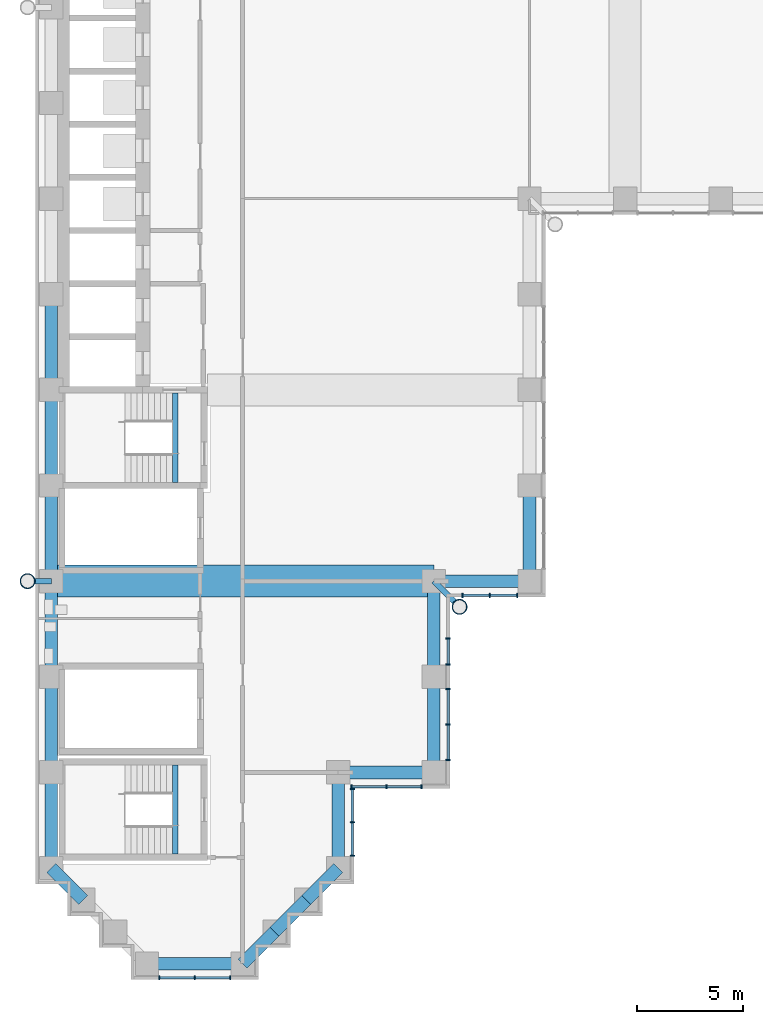
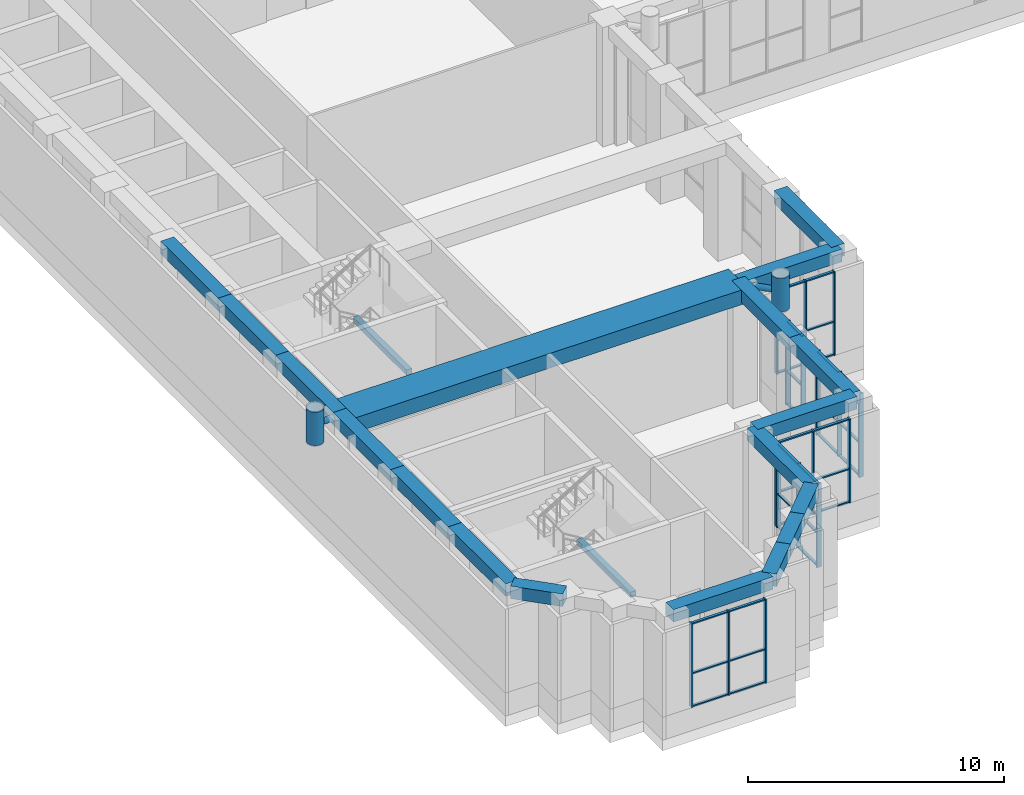
# One storey, part 2 of 22: 54 members, 20 beams, 6 elements without a shape of their own.
"""IFC4 building model written with IfcOpenShell, lengths in metres."""

from ifc_helpers import new_model, si_unit, direction, frame, origin, origin_2d, place, context, subcontext, project, spatial, rectangle, hollow_circle, extrude, material, material_profile, profile_set, type_object, element, aggregate, save


model = new_model("IFC4")

# Units and contexts
model_context = context("Model", 3, precision=1e-05, world=origin(), true_north=direction((0.0, 1.0)))
body_context = subcontext(model_context, "Body", "Model", "MODEL_VIEW")
ifc_project = project(units=[si_unit("LENGTHUNIT", "METRE"), si_unit("AREAUNIT", "SQUARE_METRE"), si_unit("VOLUMEUNIT", "CUBIC_METRE"), si_unit("PLANEANGLEUNIT", "RADIAN"), si_unit("MASSUNIT", "GRAM", prefix="KILO")], contexts=[model_context])

# Site, building, storey
site_placement = place(None, origin())
site = spatial("IfcSite", under=ifc_project, at=site_placement, CompositionType="ELEMENT")
building_placement = place(site_placement, origin())
building = spatial("IfcBuilding", under=site, at=building_placement, Name="Firuza Court", CompositionType="ELEMENT")
storey_placement = place(building_placement, frame((0.0, 0.0, 113.60009765625)))
storey = spatial("IfcBuildingStorey", under=building, at=storey_placement, Name="L28", CompositionType="ELEMENT", Elevation=113.60009765625)

# Beam
ifc_material_1 = material(Name="Concrete C40/50", Category="concrete")
ifc_material_profile_1 = material_profile(ifc_material_1, rectangle(XDim=1.5, YDim=0.699951171875, at=origin_2d()), Name="RC 1500x700")
ifc_profile_set_1 = profile_set([ifc_material_profile_1], Name="Concrete C40/50")
beam_type_1 = type_object("IfcBeamType", Name="Band beam RC 1500x700 C40/50", PredefinedType="BEAM", material=ifc_profile_set_1)
beam_1_placement = place(storey_placement, frame((0.0, 18.0, 5.349853515625), z_axis=(1.0, 0.0, 0.0), x_axis=(0.0, 1.0, 0.0)))
element("IfcBeam", 1, at=beam_1_placement, inside=storey, type_object=beam_type_1, Name="Band beam FB1 level L29", PredefinedType="BEAM", context=body_context, shape_type="SweptSolid", body=[
    extrude(rectangle(XDim=1.5, YDim=0.699951171875, at=origin_2d()), origin(), (0.0, 0.0, 1.0), 18.0),
])

# Members
ifc_material_2 = material(Name="Steel S355", Category="steel")
ifc_material_profile_2 = material_profile(ifc_material_2, hollow_circle(Radius=0.35546875, WallThickness=0.030029296875, at=origin_2d()), Name="CHS 711x30")
ifc_profile_set_2 = profile_set([ifc_material_profile_2], Name="Steel S355")
member_type_1 = type_object("IfcMemberType", Name="Diagrid node CHS 711x30 S355", PredefinedType="USERDEFINED", material=ifc_profile_set_2)
for number, where, z_axis, x_axis, name in (
    (2, (-1.1201171875, 18.0, 4.64990234375), (0.0, 0.0, 1.0), (1.0, 0.0, 0.0), "Diagrid node level L28"),
    (3, (19.2099609375, 16.7900390625, 4.64990234375), (0.0, 0.0, 1.0), (1.0, 0.0, 0.0), "Diagrid node level L28"),
):
    element("IfcMember", number, at=place(storey_placement, frame(where, z_axis=z_axis, x_axis=x_axis)), inside=storey, type_object=member_type_1, Name=name, ObjectType="DIAGRID NODE", PredefinedType="USERDEFINED", context=body_context, shape_type="SweptSolid", body=[
        extrude(hollow_circle(Radius=0.35546875, WallThickness=0.030029296875, at=origin_2d()), origin(), (0.0, 0.0, 1.0), 1.60009765625),
    ])
ifc_material_3 = material(Name="Steel S355", Category="steel")
ifc_material_profile_3 = material_profile(ifc_material_3, hollow_circle(Radius=0.136474609375, WallThickness=0.012451171875, at=origin_2d()), Name="CHS 273x12.5")
ifc_profile_set_3 = profile_set([ifc_material_profile_3], Name="Steel S355")
member_type_2 = type_object("IfcMemberType", Name="Diagrid tie CHS 273x12.5 S355", PredefinedType="STRUT", material=ifc_profile_set_3)
member_1_placement = place(storey_placement, frame((0.0, 18.0, 5.449951171875), z_axis=(-1.0, 0.0, 0.0), x_axis=(0.0, -1.0, 0.0)))
element("IfcMember", 4, at=member_1_placement, inside=storey, type_object=member_type_2, Name="Diagrid tie level L29", PredefinedType="STRUT", context=body_context, shape_type="SweptSolid", body=[
    extrude(hollow_circle(Radius=0.136474609375, WallThickness=0.012451171875, at=origin_2d()), origin(), (0.0, 0.0, 1.0), 1.1201171875),
])
member_2_placement = place(storey_placement, frame((18.0, 18.0, 5.449951171875), z_axis=(0.707106781187, -0.707106781187, 0.0), x_axis=(0.707106781187, 0.707106781187, 0.0)))
element("IfcMember", 5, at=member_2_placement, inside=storey, type_object=member_type_2, Name="Diagrid tie level L29", PredefinedType="STRUT", context=body_context, shape_type="SweptSolid", body=[
    extrude(hollow_circle(Radius=0.136474609375, WallThickness=0.012451171875, at=origin_2d()), origin(), (0.0, 0.0, 1.0), 1.711181640625),
])

# Beams
ifc_material_4 = material(Name="Concrete C40/50", Category="concrete")
ifc_material_profile_4 = material_profile(ifc_material_4, rectangle(XDim=0.25, YDim=0.25, at=origin_2d()), Name="RC 250x250")
ifc_profile_set_4 = profile_set([ifc_material_profile_4], Name="Concrete C40/50")
beam_type_2 = type_object("IfcBeamType", Name="Landing beam RC 250x250 C40/50", PredefinedType="BEAM", material=ifc_profile_set_4)
for number, where, z_axis, x_axis, name in (
    (6, (5.824951171875, 22.64990234375, 2.6748046875), (0.0, 1.0, 0.0), (-1.0, 0.0, 0.0), "Landing beam S2 L28"),
    (7, (5.824951171875, 5.14990234375, 2.6748046875), (0.0, 1.0, 0.0), (-1.0, 0.0, 0.0), "Landing beam S5 L28"),
):
    element("IfcBeam", number, at=place(storey_placement, frame(where, z_axis=z_axis, x_axis=x_axis)), inside=storey, type_object=beam_type_2, Name=name, PredefinedType="BEAM", context=body_context, shape_type="SweptSolid", body=[
        extrude(rectangle(XDim=0.25, YDim=0.25, at=origin_2d()), origin(), (0.0, 0.0, 1.0), 4.2001953125),
    ])

# Curtain wall, members
ifc_material_5 = material(Name="Aluminium curtain wall, triple clear glazing", Category="aluminium")
curtain_wall_type = type_object("IfcCurtainWallType", Name="Sky floor unitised curtain wall CW3", PredefinedType="NOTDEFINED", material=ifc_material_5)
curtain_wall_1_placement = place(storey_placement, origin())
curtain_wall_1 = element("IfcCurtainWall", 8, at=curtain_wall_1_placement, inside=storey, type_object=curtain_wall_type, Name="Sky floor unitised curtain wall CW3 L28", PredefinedType="NOTDEFINED")
ifc_material_6 = material(Name="Aluminium EN AW-6060 T66", Category="aluminium")
ifc_material_profile_5 = material_profile(ifc_material_6, rectangle(XDim=0.199951171875, YDim=0.06005859375, at=origin_2d()), Name="Mullion 200 x 60 CW3")
ifc_profile_set_5 = profile_set([ifc_material_profile_5], Name="Aluminium EN AW-6060 T66")
member_type_3 = type_object("IfcMemberType", Name="Mullion 200 x 60 CW3", PredefinedType="MULLION", material=ifc_profile_set_5)
member_3_placement = place(storey_placement, frame((14.169921875, 5.080078125, 1.099853515625), z_axis=(0.0, 0.0, 1.0), x_axis=(-1.0, 0.0, 0.0)))
member_3 = element("IfcMember", 9, at=member_3_placement, type_object=member_type_3, Name="CW3 mullion 1", PredefinedType="MULLION", context=body_context, shape_type="SweptSolid", body=[
    extrude(rectangle(XDim=0.199951171875, YDim=0.06005859375, at=origin_2d()), origin(), (0.0, 0.0, 1.0), 4.0),
])
member_4_placement = place(storey_placement, frame((14.169921875, 6.64990234375, 1.099853515625), z_axis=(0.0, 0.0, 1.0), x_axis=(-1.0, 0.0, 0.0)))
member_4 = element("IfcMember", 10, at=member_4_placement, type_object=member_type_3, Name="CW3 mullion 2", PredefinedType="MULLION", context=body_context, shape_type="SweptSolid", body=[
    extrude(rectangle(XDim=0.199951171875, YDim=0.06005859375, at=origin_2d()), origin(), (0.0, 0.0, 1.0), 4.0),
])
member_5_placement = place(storey_placement, frame((14.169921875, 8.219970703125, 1.099853515625), z_axis=(0.0, 0.0, 1.0), x_axis=(-1.0, 0.0, 0.0)))
member_5 = element("IfcMember", 11, at=member_5_placement, type_object=member_type_3, Name="CW3 mullion 3", PredefinedType="MULLION", context=body_context, shape_type="SweptSolid", body=[
    extrude(rectangle(XDim=0.199951171875, YDim=0.06005859375, at=origin_2d()), origin(), (0.0, 0.0, 1.0), 4.0),
])

curtain_wall_2_placement = place(storey_placement, origin())
curtain_wall_2 = element("IfcCurtainWall", 12, at=curtain_wall_2_placement, inside=storey, type_object=curtain_wall_type, Name="Sky floor unitised curtain wall CW3 L28", PredefinedType="NOTDEFINED")
member_6_placement = place(storey_placement, frame((14.1298828125, 8.330078125, 1.099853515625), z_axis=(0.0, 0.0, 1.0), x_axis=(0.0, 1.0, 0.0)))
member_6 = element("IfcMember", 13, at=member_6_placement, type_object=member_type_3, Name="CW3 mullion 1", PredefinedType="MULLION", context=body_context, shape_type="SweptSolid", body=[
    extrude(rectangle(XDim=0.199951171875, YDim=0.06005859375, at=origin_2d()), origin(), (0.0, 0.0, 1.0), 4.0),
])
member_7_placement = place(storey_placement, frame((15.77490234375, 8.330078125, 1.099853515625), z_axis=(0.0, 0.0, 1.0), x_axis=(0.0, 1.0, 0.0)))
member_7 = element("IfcMember", 14, at=member_7_placement, type_object=member_type_3, Name="CW3 mullion 2", PredefinedType="MULLION", context=body_context, shape_type="SweptSolid", body=[
    extrude(rectangle(XDim=0.199951171875, YDim=0.06005859375, at=origin_2d()), origin(), (0.0, 0.0, 1.0), 4.0),
])
member_8_placement = place(storey_placement, frame((17.419921875, 8.330078125, 1.099853515625), z_axis=(0.0, 0.0, 1.0), x_axis=(0.0, 1.0, 0.0)))
member_8 = element("IfcMember", 15, at=member_8_placement, type_object=member_type_3, Name="CW3 mullion 3", PredefinedType="MULLION", context=body_context, shape_type="SweptSolid", body=[
    extrude(rectangle(XDim=0.199951171875, YDim=0.06005859375, at=origin_2d()), origin(), (0.0, 0.0, 1.0), 4.0),
])

curtain_wall_3_placement = place(storey_placement, origin())
curtain_wall_3 = element("IfcCurtainWall", 16, at=curtain_wall_3_placement, inside=storey, type_object=curtain_wall_type, Name="Sky floor unitised curtain wall CW3 L28", PredefinedType="NOTDEFINED")
member_9_placement = place(storey_placement, frame((18.669921875, 9.580078125, 1.099853515625), z_axis=(0.0, 0.0, 1.0), x_axis=(-1.0, 0.0, 0.0)))
member_9 = element("IfcMember", 17, at=member_9_placement, type_object=member_type_3, Name="CW3 mullion 1", PredefinedType="MULLION", context=body_context, shape_type="SweptSolid", body=[
    extrude(rectangle(XDim=0.199951171875, YDim=0.06005859375, at=origin_2d()), origin(), (0.0, 0.0, 1.0), 4.0),
])
member_10_placement = place(storey_placement, frame((18.669921875, 11.25, 1.099853515625), z_axis=(0.0, 0.0, 1.0), x_axis=(-1.0, 0.0, 0.0)))
member_10 = element("IfcMember", 18, at=member_10_placement, type_object=member_type_3, Name="CW3 mullion 2", PredefinedType="MULLION", context=body_context, shape_type="SweptSolid", body=[
    extrude(rectangle(XDim=0.199951171875, YDim=0.06005859375, at=origin_2d()), origin(), (0.0, 0.0, 1.0), 4.0),
])
member_11_placement = place(storey_placement, frame((18.669921875, 12.919921875, 1.099853515625), z_axis=(0.0, 0.0, 1.0), x_axis=(-1.0, 0.0, 0.0)))
member_11 = element("IfcMember", 19, at=member_11_placement, type_object=member_type_3, Name="CW3 mullion 3", PredefinedType="MULLION", context=body_context, shape_type="SweptSolid", body=[
    extrude(rectangle(XDim=0.199951171875, YDim=0.06005859375, at=origin_2d()), origin(), (0.0, 0.0, 1.0), 4.0),
])

curtain_wall_4_placement = place(storey_placement, origin())
curtain_wall_4 = element("IfcCurtainWall", 20, at=curtain_wall_4_placement, inside=storey, type_object=curtain_wall_type, Name="Sky floor unitised curtain wall CW3 L28", PredefinedType="NOTDEFINED")
member_12_placement = place(storey_placement, frame((18.669921875, 14.080078125, 1.099853515625), z_axis=(0.0, 0.0, 1.0), x_axis=(-1.0, 0.0, 0.0)))
member_12 = element("IfcMember", 21, at=member_12_placement, type_object=member_type_3, Name="CW3 mullion 1", PredefinedType="MULLION", context=body_context, shape_type="SweptSolid", body=[
    extrude(rectangle(XDim=0.199951171875, YDim=0.06005859375, at=origin_2d()), origin(), (0.0, 0.0, 1.0), 4.0),
])
member_13_placement = place(storey_placement, frame((18.669921875, 15.2978515625, 1.099853515625), z_axis=(0.0, 0.0, 1.0), x_axis=(-1.0, 0.0, 0.0)))
member_13 = element("IfcMember", 22, at=member_13_placement, type_object=member_type_3, Name="CW3 mullion 2", PredefinedType="MULLION", context=body_context, shape_type="SweptSolid", body=[
    extrude(rectangle(XDim=0.199951171875, YDim=0.06005859375, at=origin_2d()), origin(), (0.0, 0.0, 1.0), 4.0),
])

curtain_wall_5_placement = place(storey_placement, origin())
curtain_wall_5 = element("IfcCurtainWall", 23, at=curtain_wall_5_placement, inside=storey, type_object=curtain_wall_type, Name="Sky floor unitised curtain wall CW3 L28", PredefinedType="NOTDEFINED")
member_14_placement = place(storey_placement, frame((19.343017578125, 17.330078125, 1.099853515625), z_axis=(0.0, 0.0, 1.0), x_axis=(0.0, 1.0, 0.0)))
member_14 = element("IfcMember", 24, at=member_14_placement, type_object=member_type_3, Name="CW3 mullion 1", PredefinedType="MULLION", context=body_context, shape_type="SweptSolid", body=[
    extrude(rectangle(XDim=0.199951171875, YDim=0.06005859375, at=origin_2d()), origin(), (0.0, 0.0, 1.0), 4.0),
])
member_15_placement = place(storey_placement, frame((20.631591796875, 17.330078125, 1.099853515625), z_axis=(0.0, 0.0, 1.0), x_axis=(0.0, 1.0, 0.0)))
member_15 = element("IfcMember", 25, at=member_15_placement, type_object=member_type_3, Name="CW3 mullion 2", PredefinedType="MULLION", context=body_context, shape_type="SweptSolid", body=[
    extrude(rectangle(XDim=0.199951171875, YDim=0.06005859375, at=origin_2d()), origin(), (0.0, 0.0, 1.0), 4.0),
])
member_16_placement = place(storey_placement, frame((21.919921875, 17.330078125, 1.099853515625), z_axis=(0.0, 0.0, 1.0), x_axis=(0.0, 1.0, 0.0)))
member_16 = element("IfcMember", 26, at=member_16_placement, type_object=member_type_3, Name="CW3 mullion 3", PredefinedType="MULLION", context=body_context, shape_type="SweptSolid", body=[
    extrude(rectangle(XDim=0.199951171875, YDim=0.06005859375, at=origin_2d()), origin(), (0.0, 0.0, 1.0), 4.0),
])

curtain_wall_6_placement = place(storey_placement, origin())
curtain_wall_6 = element("IfcCurtainWall", 27, at=curtain_wall_6_placement, inside=storey, type_object=curtain_wall_type, Name="Sky floor unitised curtain wall CW3 L28", PredefinedType="NOTDEFINED")
member_17_placement = place(storey_placement, frame((5.080078125, -0.669921875, 1.099853515625), z_axis=(0.0, 0.0, 1.0), x_axis=(0.0, 1.0, 0.0)))
member_17 = element("IfcMember", 28, at=member_17_placement, type_object=member_type_3, Name="CW3 mullion 1", PredefinedType="MULLION", context=body_context, shape_type="SweptSolid", body=[
    extrude(rectangle(XDim=0.199951171875, YDim=0.06005859375, at=origin_2d()), origin(), (0.0, 0.0, 1.0), 4.0),
])
member_18_placement = place(storey_placement, frame((6.75, -0.669921875, 1.099853515625), z_axis=(0.0, 0.0, 1.0), x_axis=(0.0, 1.0, 0.0)))
member_18 = element("IfcMember", 29, at=member_18_placement, type_object=member_type_3, Name="CW3 mullion 2", PredefinedType="MULLION", context=body_context, shape_type="SweptSolid", body=[
    extrude(rectangle(XDim=0.199951171875, YDim=0.06005859375, at=origin_2d()), origin(), (0.0, 0.0, 1.0), 4.0),
])
member_19_placement = place(storey_placement, frame((8.419921875, -0.669921875, 1.099853515625), z_axis=(0.0, 0.0, 1.0), x_axis=(0.0, 1.0, 0.0)))
member_19 = element("IfcMember", 30, at=member_19_placement, type_object=member_type_3, Name="CW3 mullion 3", PredefinedType="MULLION", context=body_context, shape_type="SweptSolid", body=[
    extrude(rectangle(XDim=0.199951171875, YDim=0.06005859375, at=origin_2d()), origin(), (0.0, 0.0, 1.0), 4.0),
])

# Beams
ifc_material_7 = material(Name="Concrete C40/50", Category="concrete")
ifc_material_profile_6 = material_profile(ifc_material_7, rectangle(XDim=0.60009765625, YDim=0.60009765625, at=origin_2d()), Name="RC 600x600")
ifc_profile_set_6 = profile_set([ifc_material_profile_6], Name="Concrete C40/50")
beam_type_3 = type_object("IfcBeamType", Name="Spandrel beam RC 600x600 C40/50", PredefinedType="BEAM", material=ifc_profile_set_6)
beam_2_placement = place(storey_placement, frame((0.0, 4.5, 5.39990234375), z_axis=(0.707106781187, -0.707106781187, 0.0), x_axis=(0.707106781187, 0.707106781187, 0.0)))
element("IfcBeam", 31, at=beam_2_placement, inside=storey, type_object=beam_type_3, Name="Spandrel beam SP11 level L29", PredefinedType="BEAM", context=body_context, shape_type="SweptSolid", body=[
    extrude(rectangle(XDim=0.60009765625, YDim=0.60009765625, at=origin_2d()), origin(), (0.0, 0.0, 1.0), 2.121337890625),
])
for number, where, z_axis, x_axis, name in (
    (32, (0.0, 9.0, 5.39990234375), (0.0, -1.0, 0.0), (1.0, 0.0, 0.0), "Spandrel beam SP11 level L29"),
    (33, (0.0, 13.5, 5.39990234375), (0.0, -1.0, 0.0), (1.0, 0.0, 0.0), "Spandrel beam SP11 level L29"),
    (34, (0.0, 18.0, 5.39990234375), (0.0, -1.0, 0.0), (1.0, 0.0, 0.0), "Spandrel beam SP11 level L29"),
    (35, (0.0, 22.5, 5.39990234375), (0.0, -1.0, 0.0), (1.0, 0.0, 0.0), "Spandrel beam SP11 level L29"),
    (36, (0.0, 27.0, 5.39990234375), (0.0, -1.0, 0.0), (1.0, 0.0, 0.0), "Spandrel beam SP11 level L29"),
    (37, (0.0, 31.5, 5.39990234375), (0.0, -1.0, 0.0), (1.0, 0.0, 0.0), "Spandrel beam SP11 level L29"),
    (38, (4.5, 0.0, 5.39990234375), (1.0, 0.0, 0.0), (0.0, 1.0, 0.0), "Spandrel beam SP11 level L29"),
):
    element("IfcBeam", number, at=place(storey_placement, frame(where, z_axis=z_axis, x_axis=x_axis)), inside=storey, type_object=beam_type_3, Name=name, PredefinedType="BEAM", context=body_context, shape_type="SweptSolid", body=[
        extrude(rectangle(XDim=0.60009765625, YDim=0.60009765625, at=origin_2d()), origin(), (0.0, 0.0, 1.0), 4.5),
    ])
for number, where, z_axis, x_axis, name in (
    (39, (9.0, 0.0, 5.39990234375), (0.707106781187, 0.707106781187, 0.0), (-0.707106781187, 0.707106781187, 0.0), "Spandrel beam SP11 level L29"),
    (40, (10.5, 1.5, 5.39990234375), (0.707106781187, 0.707106781187, 0.0), (-0.707106781187, 0.707106781187, 0.0), "Spandrel beam SP11 level L29"),
    (41, (12.0, 3.0, 5.39990234375), (0.707106781187, 0.707106781187, 0.0), (-0.707106781187, 0.707106781187, 0.0), "Spandrel beam SP11 level L29"),
):
    element("IfcBeam", number, at=place(storey_placement, frame(where, z_axis=z_axis, x_axis=x_axis)), inside=storey, type_object=beam_type_3, Name=name, PredefinedType="BEAM", context=body_context, shape_type="SweptSolid", body=[
        extrude(rectangle(XDim=0.60009765625, YDim=0.60009765625, at=origin_2d()), origin(), (0.0, 0.0, 1.0), 2.121337890625),
    ])
for number, where, z_axis, x_axis, name in (
    (42, (13.5, 4.5, 5.39990234375), (0.0, 1.0, 0.0), (-1.0, 0.0, 0.0), "Spandrel beam SP11 level L29"),
    (43, (13.5, 9.0, 5.39990234375), (1.0, 0.0, 0.0), (0.0, 1.0, 0.0), "Spandrel beam SP11 level L29"),
    (44, (18.0, 9.0, 5.39990234375), (0.0, 1.0, 0.0), (-1.0, 0.0, 0.0), "Spandrel beam SP11 level L29"),
    (45, (18.0, 13.5, 5.39990234375), (0.0, 1.0, 0.0), (-1.0, 0.0, 0.0), "Spandrel beam SP11 level L29"),
    (46, (18.0, 18.0, 5.39990234375), (1.0, 0.0, 0.0), (0.0, 1.0, 0.0), "Spandrel beam SP11 level L29"),
    (47, (22.5, 18.0, 5.39990234375), (0.0, 1.0, 0.0), (-1.0, 0.0, 0.0), "Spandrel beam SP11 level L29"),
):
    element("IfcBeam", number, at=place(storey_placement, frame(where, z_axis=z_axis, x_axis=x_axis)), inside=storey, type_object=beam_type_3, Name=name, PredefinedType="BEAM", context=body_context, shape_type="SweptSolid", body=[
        extrude(rectangle(XDim=0.60009765625, YDim=0.60009765625, at=origin_2d()), origin(), (0.0, 0.0, 1.0), 4.5),
    ])

# Member
ifc_material_8 = material(Name="Aluminium EN AW-6060 T66", Category="aluminium")
ifc_material_profile_7 = material_profile(ifc_material_8, rectangle(XDim=0.1201171875, YDim=0.06005859375, at=origin_2d()), Name="Transom 120 x 60 CW3")
ifc_profile_set_7 = profile_set([ifc_material_profile_7], Name="Aluminium EN AW-6060 T66")
member_type_4 = type_object("IfcMemberType", Name="Transom 120 x 60 CW3", PredefinedType="USERDEFINED", material=ifc_profile_set_7)
member_20_placement = place(storey_placement, frame((14.169921875, 5.110107421875, 1.1298828125), z_axis=(0.0, 1.0, 0.0), x_axis=(-1.0, 0.0, 0.0)))
member_20 = element("IfcMember", 48, at=member_20_placement, type_object=member_type_4, Name="CW3 transom 1.1", ObjectType="TRANSOM", PredefinedType="USERDEFINED", context=body_context, shape_type="SweptSolid", body=[
    extrude(rectangle(XDim=0.1201171875, YDim=0.06005859375, at=origin_2d()), origin(), (0.0, 0.0, 1.0), 1.510009765625),
])

member_21_placement = place(storey_placement, frame((14.169921875, 5.110107421875, 2.699951171875), z_axis=(0.0, 1.0, 0.0), x_axis=(-1.0, 0.0, 0.0)))
member_21 = element("IfcMember", 49, at=member_21_placement, type_object=member_type_4, Name="CW3 transom 1.2", ObjectType="TRANSOM", PredefinedType="USERDEFINED", context=body_context, shape_type="SweptSolid", body=[
    extrude(rectangle(XDim=0.1201171875, YDim=0.06005859375, at=origin_2d()), origin(), (0.0, 0.0, 1.0), 1.510009765625),
])

member_22_placement = place(storey_placement, frame((14.169921875, 5.110107421875, 5.06982421875), z_axis=(0.0, 1.0, 0.0), x_axis=(-1.0, 0.0, 0.0)))
member_22 = element("IfcMember", 50, at=member_22_placement, type_object=member_type_4, Name="CW3 transom 1.3", ObjectType="TRANSOM", PredefinedType="USERDEFINED", context=body_context, shape_type="SweptSolid", body=[
    extrude(rectangle(XDim=0.1201171875, YDim=0.06005859375, at=origin_2d()), origin(), (0.0, 0.0, 1.0), 1.510009765625),
])

member_23_placement = place(storey_placement, frame((14.169921875, 6.679931640625, 1.1298828125), z_axis=(0.0, 1.0, 0.0), x_axis=(-1.0, 0.0, 0.0)))
member_23 = element("IfcMember", 51, at=member_23_placement, type_object=member_type_4, Name="CW3 transom 2.1", ObjectType="TRANSOM", PredefinedType="USERDEFINED", context=body_context, shape_type="SweptSolid", body=[
    extrude(rectangle(XDim=0.1201171875, YDim=0.06005859375, at=origin_2d()), origin(), (0.0, 0.0, 1.0), 1.510009765625),
])

member_24_placement = place(storey_placement, frame((14.169921875, 6.679931640625, 2.699951171875), z_axis=(0.0, 1.0, 0.0), x_axis=(-1.0, 0.0, 0.0)))
member_24 = element("IfcMember", 52, at=member_24_placement, type_object=member_type_4, Name="CW3 transom 2.2", ObjectType="TRANSOM", PredefinedType="USERDEFINED", context=body_context, shape_type="SweptSolid", body=[
    extrude(rectangle(XDim=0.1201171875, YDim=0.06005859375, at=origin_2d()), origin(), (0.0, 0.0, 1.0), 1.510009765625),
])

member_25_placement = place(storey_placement, frame((14.169921875, 6.679931640625, 5.06982421875), z_axis=(0.0, 1.0, 0.0), x_axis=(-1.0, 0.0, 0.0)))
member_25 = element("IfcMember", 53, at=member_25_placement, type_object=member_type_4, Name="CW3 transom 2.3", ObjectType="TRANSOM", PredefinedType="USERDEFINED", context=body_context, shape_type="SweptSolid", body=[
    extrude(rectangle(XDim=0.1201171875, YDim=0.06005859375, at=origin_2d()), origin(), (0.0, 0.0, 1.0), 1.510009765625),
])

aggregate(curtain_wall_1, [member_3, member_4, member_5, member_20, member_21, member_22, member_23, member_24, member_25])

member_26_placement = place(storey_placement, frame((14.159912109375, 8.330078125, 1.1298828125), z_axis=(1.0, 0.0, 0.0), x_axis=(0.0, 1.0, 0.0)))
member_26 = element("IfcMember", 54, at=member_26_placement, type_object=member_type_4, Name="CW3 transom 1.1", ObjectType="TRANSOM", PredefinedType="USERDEFINED", context=body_context, shape_type="SweptSolid", body=[
    extrude(rectangle(XDim=0.1201171875, YDim=0.06005859375, at=origin_2d()), origin(), (0.0, 0.0, 1.0), 1.585205078125),
])

member_27_placement = place(storey_placement, frame((14.159912109375, 8.330078125, 2.699951171875), z_axis=(1.0, 0.0, 0.0), x_axis=(0.0, 1.0, 0.0)))
member_27 = element("IfcMember", 55, at=member_27_placement, type_object=member_type_4, Name="CW3 transom 1.2", ObjectType="TRANSOM", PredefinedType="USERDEFINED", context=body_context, shape_type="SweptSolid", body=[
    extrude(rectangle(XDim=0.1201171875, YDim=0.06005859375, at=origin_2d()), origin(), (0.0, 0.0, 1.0), 1.585205078125),
])

member_28_placement = place(storey_placement, frame((14.159912109375, 8.330078125, 5.06982421875), z_axis=(1.0, 0.0, 0.0), x_axis=(0.0, 1.0, 0.0)))
member_28 = element("IfcMember", 56, at=member_28_placement, type_object=member_type_4, Name="CW3 transom 1.3", ObjectType="TRANSOM", PredefinedType="USERDEFINED", context=body_context, shape_type="SweptSolid", body=[
    extrude(rectangle(XDim=0.1201171875, YDim=0.06005859375, at=origin_2d()), origin(), (0.0, 0.0, 1.0), 1.585205078125),
])

member_29_placement = place(storey_placement, frame((15.804931640625, 8.330078125, 1.1298828125), z_axis=(1.0, 0.0, 0.0), x_axis=(0.0, 1.0, 0.0)))
member_29 = element("IfcMember", 57, at=member_29_placement, type_object=member_type_4, Name="CW3 transom 2.1", ObjectType="TRANSOM", PredefinedType="USERDEFINED", context=body_context, shape_type="SweptSolid", body=[
    extrude(rectangle(XDim=0.1201171875, YDim=0.06005859375, at=origin_2d()), origin(), (0.0, 0.0, 1.0), 1.5849609375),
])

member_30_placement = place(storey_placement, frame((15.804931640625, 8.330078125, 2.699951171875), z_axis=(1.0, 0.0, 0.0), x_axis=(0.0, 1.0, 0.0)))
member_30 = element("IfcMember", 58, at=member_30_placement, type_object=member_type_4, Name="CW3 transom 2.2", ObjectType="TRANSOM", PredefinedType="USERDEFINED", context=body_context, shape_type="SweptSolid", body=[
    extrude(rectangle(XDim=0.1201171875, YDim=0.06005859375, at=origin_2d()), origin(), (0.0, 0.0, 1.0), 1.5849609375),
])

member_31_placement = place(storey_placement, frame((15.804931640625, 8.330078125, 5.06982421875), z_axis=(1.0, 0.0, 0.0), x_axis=(0.0, 1.0, 0.0)))
member_31 = element("IfcMember", 59, at=member_31_placement, type_object=member_type_4, Name="CW3 transom 2.3", ObjectType="TRANSOM", PredefinedType="USERDEFINED", context=body_context, shape_type="SweptSolid", body=[
    extrude(rectangle(XDim=0.1201171875, YDim=0.06005859375, at=origin_2d()), origin(), (0.0, 0.0, 1.0), 1.5849609375),
])

aggregate(curtain_wall_2, [member_6, member_7, member_8, member_26, member_27, member_28, member_29, member_30, member_31])

member_32_placement = place(storey_placement, frame((18.669921875, 9.610107421875, 1.1298828125), z_axis=(0.0, 1.0, 0.0), x_axis=(-1.0, 0.0, 0.0)))
member_32 = element("IfcMember", 60, at=member_32_placement, type_object=member_type_4, Name="CW3 transom 1.1", ObjectType="TRANSOM", PredefinedType="USERDEFINED", context=body_context, shape_type="SweptSolid", body=[
    extrude(rectangle(XDim=0.1201171875, YDim=0.06005859375, at=origin_2d()), origin(), (0.0, 0.0, 1.0), 1.60986328125),
])

member_33_placement = place(storey_placement, frame((18.669921875, 9.610107421875, 2.699951171875), z_axis=(0.0, 1.0, 0.0), x_axis=(-1.0, 0.0, 0.0)))
member_33 = element("IfcMember", 61, at=member_33_placement, type_object=member_type_4, Name="CW3 transom 1.2", ObjectType="TRANSOM", PredefinedType="USERDEFINED", context=body_context, shape_type="SweptSolid", body=[
    extrude(rectangle(XDim=0.1201171875, YDim=0.06005859375, at=origin_2d()), origin(), (0.0, 0.0, 1.0), 1.60986328125),
])

member_34_placement = place(storey_placement, frame((18.669921875, 9.610107421875, 5.06982421875), z_axis=(0.0, 1.0, 0.0), x_axis=(-1.0, 0.0, 0.0)))
member_34 = element("IfcMember", 62, at=member_34_placement, type_object=member_type_4, Name="CW3 transom 1.3", ObjectType="TRANSOM", PredefinedType="USERDEFINED", context=body_context, shape_type="SweptSolid", body=[
    extrude(rectangle(XDim=0.1201171875, YDim=0.06005859375, at=origin_2d()), origin(), (0.0, 0.0, 1.0), 1.60986328125),
])

member_35_placement = place(storey_placement, frame((18.669921875, 11.280029296875, 1.1298828125), z_axis=(0.0, 1.0, 0.0), x_axis=(-1.0, 0.0, 0.0)))
member_35 = element("IfcMember", 63, at=member_35_placement, type_object=member_type_4, Name="CW3 transom 2.1", ObjectType="TRANSOM", PredefinedType="USERDEFINED", context=body_context, shape_type="SweptSolid", body=[
    extrude(rectangle(XDim=0.1201171875, YDim=0.06005859375, at=origin_2d()), origin(), (0.0, 0.0, 1.0), 1.60986328125),
])

member_36_placement = place(storey_placement, frame((18.669921875, 11.280029296875, 2.699951171875), z_axis=(0.0, 1.0, 0.0), x_axis=(-1.0, 0.0, 0.0)))
member_36 = element("IfcMember", 64, at=member_36_placement, type_object=member_type_4, Name="CW3 transom 2.2", ObjectType="TRANSOM", PredefinedType="USERDEFINED", context=body_context, shape_type="SweptSolid", body=[
    extrude(rectangle(XDim=0.1201171875, YDim=0.06005859375, at=origin_2d()), origin(), (0.0, 0.0, 1.0), 1.60986328125),
])

member_37_placement = place(storey_placement, frame((18.669921875, 11.280029296875, 5.06982421875), z_axis=(0.0, 1.0, 0.0), x_axis=(-1.0, 0.0, 0.0)))
member_37 = element("IfcMember", 65, at=member_37_placement, type_object=member_type_4, Name="CW3 transom 2.3", ObjectType="TRANSOM", PredefinedType="USERDEFINED", context=body_context, shape_type="SweptSolid", body=[
    extrude(rectangle(XDim=0.1201171875, YDim=0.06005859375, at=origin_2d()), origin(), (0.0, 0.0, 1.0), 1.60986328125),
])

aggregate(curtain_wall_3, [member_9, member_10, member_11, member_32, member_33, member_34, member_35, member_36, member_37])

member_38_placement = place(storey_placement, frame((18.669921875, 14.110107421875, 1.1298828125), z_axis=(0.0, 1.0, 0.0), x_axis=(-1.0, 0.0, 0.0)))
member_38 = element("IfcMember", 66, at=member_38_placement, type_object=member_type_4, Name="CW3 transom 1.1", ObjectType="TRANSOM", PredefinedType="USERDEFINED", context=body_context, shape_type="SweptSolid", body=[
    extrude(rectangle(XDim=0.1201171875, YDim=0.06005859375, at=origin_2d()), origin(), (0.0, 0.0, 1.0), 1.15771484375),
])

member_39_placement = place(storey_placement, frame((18.669921875, 14.110107421875, 2.699951171875), z_axis=(0.0, 1.0, 0.0), x_axis=(-1.0, 0.0, 0.0)))
member_39 = element("IfcMember", 67, at=member_39_placement, type_object=member_type_4, Name="CW3 transom 1.2", ObjectType="TRANSOM", PredefinedType="USERDEFINED", context=body_context, shape_type="SweptSolid", body=[
    extrude(rectangle(XDim=0.1201171875, YDim=0.06005859375, at=origin_2d()), origin(), (0.0, 0.0, 1.0), 1.15771484375),
])

member_40_placement = place(storey_placement, frame((18.669921875, 14.110107421875, 5.06982421875), z_axis=(0.0, 1.0, 0.0), x_axis=(-1.0, 0.0, 0.0)))
member_40 = element("IfcMember", 68, at=member_40_placement, type_object=member_type_4, Name="CW3 transom 1.3", ObjectType="TRANSOM", PredefinedType="USERDEFINED", context=body_context, shape_type="SweptSolid", body=[
    extrude(rectangle(XDim=0.1201171875, YDim=0.06005859375, at=origin_2d()), origin(), (0.0, 0.0, 1.0), 1.15771484375),
])

aggregate(curtain_wall_4, [member_12, member_13, member_38, member_39, member_40])

member_41_placement = place(storey_placement, frame((19.373046875, 17.330078125, 1.1298828125), z_axis=(1.0, 0.0, 0.0), x_axis=(0.0, 1.0, 0.0)))
member_41 = element("IfcMember", 69, at=member_41_placement, type_object=member_type_4, Name="CW3 transom 1.1", ObjectType="TRANSOM", PredefinedType="USERDEFINED", context=body_context, shape_type="SweptSolid", body=[
    extrude(rectangle(XDim=0.1201171875, YDim=0.06005859375, at=origin_2d()), origin(), (0.0, 0.0, 1.0), 1.228515625),
])

member_42_placement = place(storey_placement, frame((19.373046875, 17.330078125, 2.699951171875), z_axis=(1.0, 0.0, 0.0), x_axis=(0.0, 1.0, 0.0)))
member_42 = element("IfcMember", 70, at=member_42_placement, type_object=member_type_4, Name="CW3 transom 1.2", ObjectType="TRANSOM", PredefinedType="USERDEFINED", context=body_context, shape_type="SweptSolid", body=[
    extrude(rectangle(XDim=0.1201171875, YDim=0.06005859375, at=origin_2d()), origin(), (0.0, 0.0, 1.0), 1.228515625),
])

member_43_placement = place(storey_placement, frame((19.373046875, 17.330078125, 5.06982421875), z_axis=(1.0, 0.0, 0.0), x_axis=(0.0, 1.0, 0.0)))
member_43 = element("IfcMember", 71, at=member_43_placement, type_object=member_type_4, Name="CW3 transom 1.3", ObjectType="TRANSOM", PredefinedType="USERDEFINED", context=body_context, shape_type="SweptSolid", body=[
    extrude(rectangle(XDim=0.1201171875, YDim=0.06005859375, at=origin_2d()), origin(), (0.0, 0.0, 1.0), 1.228515625),
])

member_44_placement = place(storey_placement, frame((20.66162109375, 17.330078125, 1.1298828125), z_axis=(1.0, 0.0, 0.0), x_axis=(0.0, 1.0, 0.0)))
member_44 = element("IfcMember", 72, at=member_44_placement, type_object=member_type_4, Name="CW3 transom 2.1", ObjectType="TRANSOM", PredefinedType="USERDEFINED", context=body_context, shape_type="SweptSolid", body=[
    extrude(rectangle(XDim=0.1201171875, YDim=0.06005859375, at=origin_2d()), origin(), (0.0, 0.0, 1.0), 1.228271484375),
])

member_45_placement = place(storey_placement, frame((20.66162109375, 17.330078125, 2.699951171875), z_axis=(1.0, 0.0, 0.0), x_axis=(0.0, 1.0, 0.0)))
member_45 = element("IfcMember", 73, at=member_45_placement, type_object=member_type_4, Name="CW3 transom 2.2", ObjectType="TRANSOM", PredefinedType="USERDEFINED", context=body_context, shape_type="SweptSolid", body=[
    extrude(rectangle(XDim=0.1201171875, YDim=0.06005859375, at=origin_2d()), origin(), (0.0, 0.0, 1.0), 1.228271484375),
])

member_46_placement = place(storey_placement, frame((20.66162109375, 17.330078125, 5.06982421875), z_axis=(1.0, 0.0, 0.0), x_axis=(0.0, 1.0, 0.0)))
member_46 = element("IfcMember", 74, at=member_46_placement, type_object=member_type_4, Name="CW3 transom 2.3", ObjectType="TRANSOM", PredefinedType="USERDEFINED", context=body_context, shape_type="SweptSolid", body=[
    extrude(rectangle(XDim=0.1201171875, YDim=0.06005859375, at=origin_2d()), origin(), (0.0, 0.0, 1.0), 1.228271484375),
])

aggregate(curtain_wall_5, [member_14, member_15, member_16, member_41, member_42, member_43, member_44, member_45, member_46])

member_47_placement = place(storey_placement, frame((5.110107421875, -0.669921875, 1.1298828125), z_axis=(1.0, 0.0, 0.0), x_axis=(0.0, 1.0, 0.0)))
member_47 = element("IfcMember", 75, at=member_47_placement, type_object=member_type_4, Name="CW3 transom 1.1", ObjectType="TRANSOM", PredefinedType="USERDEFINED", context=body_context, shape_type="SweptSolid", body=[
    extrude(rectangle(XDim=0.1201171875, YDim=0.06005859375, at=origin_2d()), origin(), (0.0, 0.0, 1.0), 1.60986328125),
])

member_48_placement = place(storey_placement, frame((5.110107421875, -0.669921875, 2.699951171875), z_axis=(1.0, 0.0, 0.0), x_axis=(0.0, 1.0, 0.0)))
member_48 = element("IfcMember", 76, at=member_48_placement, type_object=member_type_4, Name="CW3 transom 1.2", ObjectType="TRANSOM", PredefinedType="USERDEFINED", context=body_context, shape_type="SweptSolid", body=[
    extrude(rectangle(XDim=0.1201171875, YDim=0.06005859375, at=origin_2d()), origin(), (0.0, 0.0, 1.0), 1.60986328125),
])

member_49_placement = place(storey_placement, frame((5.110107421875, -0.669921875, 5.06982421875), z_axis=(1.0, 0.0, 0.0), x_axis=(0.0, 1.0, 0.0)))
member_49 = element("IfcMember", 77, at=member_49_placement, type_object=member_type_4, Name="CW3 transom 1.3", ObjectType="TRANSOM", PredefinedType="USERDEFINED", context=body_context, shape_type="SweptSolid", body=[
    extrude(rectangle(XDim=0.1201171875, YDim=0.06005859375, at=origin_2d()), origin(), (0.0, 0.0, 1.0), 1.60986328125),
])

member_50_placement = place(storey_placement, frame((6.780029296875, -0.669921875, 1.1298828125), z_axis=(1.0, 0.0, 0.0), x_axis=(0.0, 1.0, 0.0)))
member_50 = element("IfcMember", 78, at=member_50_placement, type_object=member_type_4, Name="CW3 transom 2.1", ObjectType="TRANSOM", PredefinedType="USERDEFINED", context=body_context, shape_type="SweptSolid", body=[
    extrude(rectangle(XDim=0.1201171875, YDim=0.06005859375, at=origin_2d()), origin(), (0.0, 0.0, 1.0), 1.60986328125),
])

member_51_placement = place(storey_placement, frame((6.780029296875, -0.669921875, 2.699951171875), z_axis=(1.0, 0.0, 0.0), x_axis=(0.0, 1.0, 0.0)))
member_51 = element("IfcMember", 79, at=member_51_placement, type_object=member_type_4, Name="CW3 transom 2.2", ObjectType="TRANSOM", PredefinedType="USERDEFINED", context=body_context, shape_type="SweptSolid", body=[
    extrude(rectangle(XDim=0.1201171875, YDim=0.06005859375, at=origin_2d()), origin(), (0.0, 0.0, 1.0), 1.60986328125),
])

member_52_placement = place(storey_placement, frame((6.780029296875, -0.669921875, 5.06982421875), z_axis=(1.0, 0.0, 0.0), x_axis=(0.0, 1.0, 0.0)))
member_52 = element("IfcMember", 80, at=member_52_placement, type_object=member_type_4, Name="CW3 transom 2.3", ObjectType="TRANSOM", PredefinedType="USERDEFINED", context=body_context, shape_type="SweptSolid", body=[
    extrude(rectangle(XDim=0.1201171875, YDim=0.06005859375, at=origin_2d()), origin(), (0.0, 0.0, 1.0), 1.60986328125),
])

aggregate(curtain_wall_6, [member_17, member_18, member_19, member_47, member_48, member_49, member_50, member_51, member_52])

save(model, "model.ifc")
